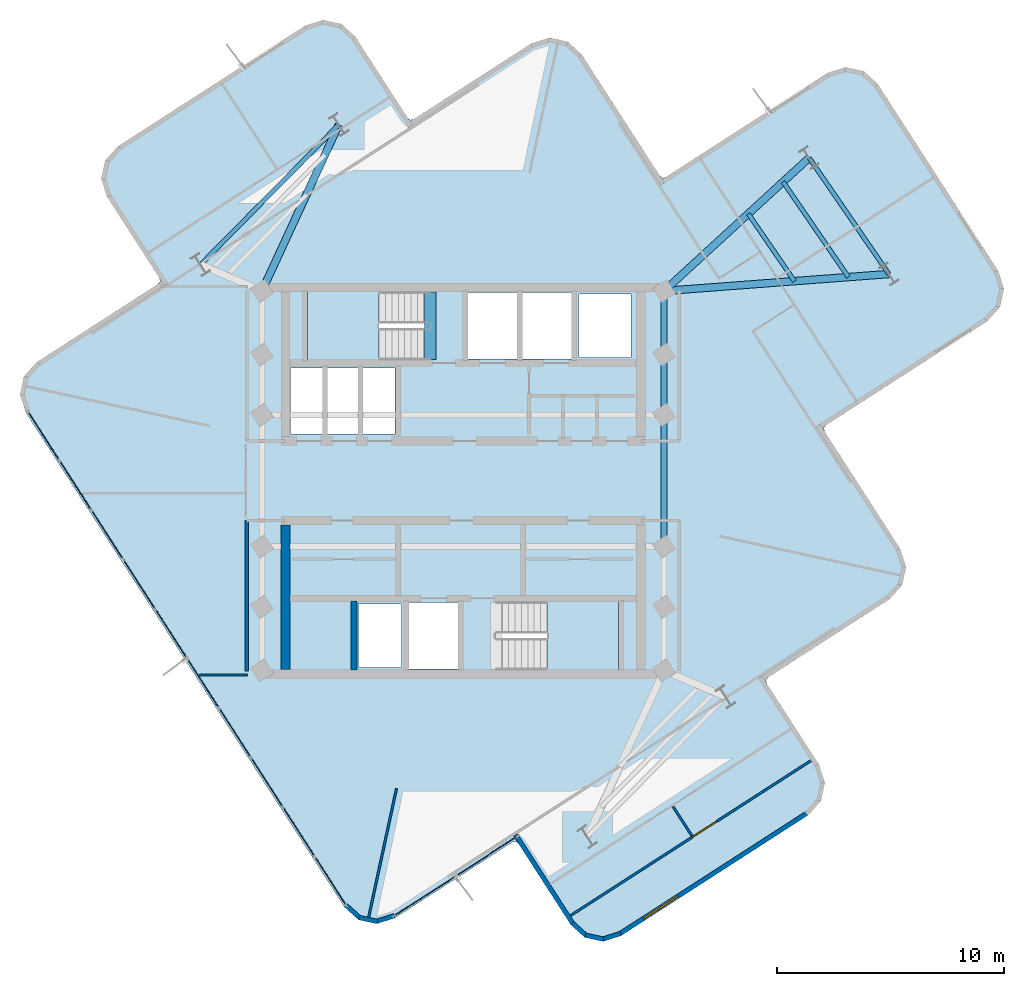
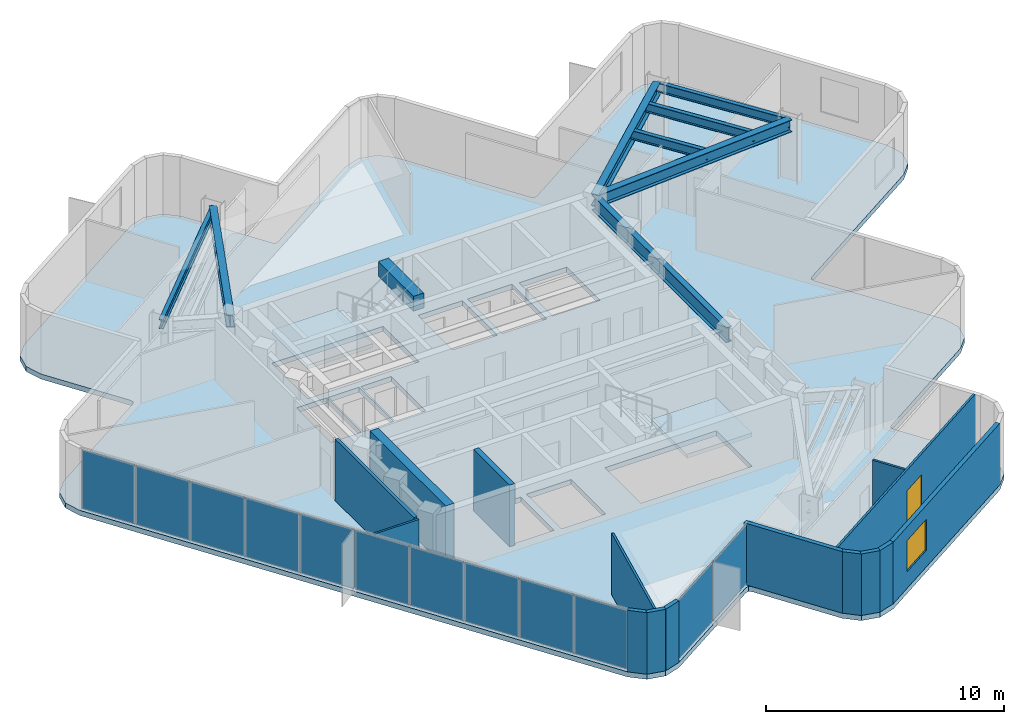
# One storey, part 4 of 9: 15 walls, 12 plates, 11 beams, 3 slabs, 1 door, 1 window, 2 openings, 4 elements without a shape of their own.
"""IFC4 building model written with IfcOpenShell, lengths in metres."""

from ifc_helpers import new_model, si_unit, direction, frame, frame_2d, origin, origin_2d, place, context, subcontext, project, spatial, polyline, rectangle, i_section, outline, extrude, material, layer, layer_set, material_profile, profile_set, type_object, element, fill, aggregate, save


model = new_model("IFC4")

# Units and contexts
model_context = context("Model", 3, precision=1e-05, world=origin(), true_north=direction((0.0, 1.0)))
body_context = subcontext(model_context, "Body", "Model", "MODEL_VIEW")
ifc_project = project(units=[si_unit("LENGTHUNIT", "METRE"), si_unit("AREAUNIT", "SQUARE_METRE"), si_unit("VOLUMEUNIT", "CUBIC_METRE"), si_unit("PLANEANGLEUNIT", "RADIAN"), si_unit("MASSUNIT", "GRAM", prefix="KILO")], contexts=[model_context])

# Site, building, storey
site_placement = place(None, origin())
site = spatial("IfcSite", under=ifc_project, at=site_placement, CompositionType="ELEMENT")
building_placement = place(site_placement, origin())
building = spatial("IfcBuilding", under=site, at=building_placement, Name="Solmarez Civic Tower", CompositionType="ELEMENT")
storey_placement = place(building_placement, frame((0.0, 0.0, 215.4599609375)))
storey = spatial("IfcBuildingStorey", under=building, at=storey_placement, Name="L57", CompositionType="ELEMENT", Elevation=215.4599609375)

# Beams
ifc_material_1 = material(Name="Steel S355", Category="steel")
ifc_material_profile_1 = material_profile(ifc_material_1, i_section(OverallWidth=0.19189453125, OverallDepth=0.462890625, WebThickness=0.010498046875, FlangeThickness=0.017578125, at=origin_2d()), Name="W18X60")
ifc_profile_set_1 = profile_set([ifc_material_profile_1], Name="Steel S355")
beam_type_1 = type_object("IfcBeamType", Name="BM-JS-W18X60", PredefinedType="JOIST", material=ifc_profile_set_1)
beam_1_placement = place(storey_placement, frame((18.740966796875, 9.096923828125, 2.927978515625), z_axis=(-0.565711253315, 0.824603406416, 0.0), x_axis=(-0.824603406416, -0.565711253315, 0.0)))
element("IfcBeam", 1, at=beam_1_placement, inside=storey, type_object=beam_type_1, Name="L57 Secondary Floor Joist BM-L57-EA-T1", PredefinedType="JOIST", context=body_context, shape_type="SweptSolid", body=[
    extrude(i_section(OverallWidth=0.19189453125, OverallDepth=0.462890625, WebThickness=0.010498046875, FlangeThickness=0.017578125, at=origin_2d()), origin(), (0.0, 0.0, 1.0), 6.199462890625),
])
beam_2_placement = place(storey_placement, frame((14.5869140625, 8.782958984375, 2.927978515625), z_axis=(-0.565666897805, 0.824633834334, 0.0), x_axis=(-0.824633834334, -0.565666897805, 0.0)))
element("IfcBeam", 2, at=beam_2_placement, inside=storey, type_object=beam_type_1, Name="L57 Secondary Floor Joist JS-L57-EA-M11", PredefinedType="JOIST", context=body_context, shape_type="SweptSolid", body=[
    extrude(i_section(OverallWidth=0.19189453125, OverallDepth=0.462890625, WebThickness=0.010498046875, FlangeThickness=0.017578125, at=origin_2d()), origin(), (0.0, 0.0, 1.0), 3.595703125),
])
beam_3_placement = place(storey_placement, frame((16.9609375, 8.962890625, 2.927978515625), z_axis=(-0.565800880521, 0.824541911367, 0.0), x_axis=(-0.824541911367, -0.565800880521, 0.0)))
element("IfcBeam", 3, at=beam_3_placement, inside=storey, type_object=beam_type_1, Name="L57 Secondary Floor Joist JS-L57-EA-M12", PredefinedType="JOIST", context=body_context, shape_type="SweptSolid", body=[
    extrude(i_section(OverallWidth=0.19189453125, OverallDepth=0.462890625, WebThickness=0.010498046875, FlangeThickness=0.017578125, at=origin_2d()), origin(), (0.0, 0.0, 1.0), 5.0830078125),
])
beam_4_placement = place(storey_placement, frame((-5.468017578125, 15.6708984375, 2.927978515625), z_axis=(-0.702766092364, -0.711420986072, 0.0), x_axis=(0.711420986072, -0.702766092364, 0.0)))
element("IfcBeam", 4, at=beam_4_placement, inside=storey, type_object=beam_type_1, Name="L57 Secondary Floor Joist BM-L57-NA-T1", PredefinedType="JOIST", context=body_context, shape_type="SweptSolid", body=[
    extrude(i_section(OverallWidth=0.19189453125, OverallDepth=0.462890625, WebThickness=0.010498046875, FlangeThickness=0.017578125, at=origin_2d()), origin(), (0.0, 0.0, 1.0), 8.659912109375),
])
ifc_material_2 = material(Name="Concrete C50/60", Category="concrete")
ifc_material_profile_2 = material_profile(ifc_material_2, rectangle(XDim=0.5, YDim=0.75, at=origin_2d()), Name="RC500X750")
ifc_profile_set_2 = profile_set([ifc_material_profile_2], Name="Concrete C50/60")
beam_type_2 = type_object("IfcBeamType", Name="BM-PR-RC500X750", PredefinedType="BEAM", material=ifc_profile_set_2)
beam_5_placement = place(storey_placement, frame((-1.449951171875, 5.340087890625, 3.052978515625), z_axis=(0.0, 1.0, 0.0), x_axis=(-1.0, 0.0, 0.0)))
element("IfcBeam", 5, at=beam_5_placement, inside=storey, type_object=beam_type_2, Name="L57 North Stair Threshold Beam", PredefinedType="BEAM", context=body_context, shape_type="SweptSolid", body=[
    extrude(rectangle(XDim=0.5, YDim=0.75, at=origin_2d()), origin(), (0.0, 0.0, 1.0), 2.9599609375),
])
ifc_material_profile_3 = material_profile(ifc_material_1, i_section(OverallWidth=0.327880859375, OverallDepth=0.6220703125, WebThickness=0.015380859375, FlangeThickness=0.0244140625, at=origin_2d()), Name="W24X131")
ifc_profile_set_3 = profile_set([ifc_material_profile_3], Name="Steel S355")
beam_type_3 = type_object("IfcBeamType", Name="BM-PR-W24X131", PredefinedType="BEAM", material=ifc_profile_set_3)
beam_6_placement = place(storey_placement, frame((8.85009765625, 8.35009765625, 2.84912109375), z_axis=(0.997161506076, 0.075292302399, 0.0), x_axis=(-0.075292302399, 0.997161506076, 0.0)))
element("IfcBeam", 6, at=beam_6_placement, inside=storey, type_object=beam_type_3, Name="L57 Primary Floor Beam BM-L57-EA-R1A", PredefinedType="BEAM", context=body_context, shape_type="SweptSolid", body=[
    extrude(i_section(OverallWidth=0.327880859375, OverallDepth=0.6220703125, WebThickness=0.015380859375, FlangeThickness=0.0244140625, at=origin_2d()), origin(), (0.0, 0.0, 1.0), 9.9189453125),
])
beam_7_placement = place(storey_placement, frame((8.85009765625, 8.35009765625, 2.84912109375), z_axis=(0.736746995662, 0.676168517741, 0.0), x_axis=(-0.676168517741, 0.736746995662, 0.0)))
element("IfcBeam", 7, at=beam_7_placement, inside=storey, type_object=beam_type_3, Name="L57 Primary Floor Beam BM-L57-EA-R1B", PredefinedType="BEAM", context=body_context, shape_type="SweptSolid", body=[
    extrude(i_section(OverallWidth=0.327880859375, OverallDepth=0.6220703125, WebThickness=0.015380859375, FlangeThickness=0.0244140625, at=origin_2d()), origin(), (0.0, 0.0, 1.0), 8.664794921875),
])
beam_8_placement = place(storey_placement, frame((-8.85009765625, 8.35009765625, 2.84912109375), z_axis=(0.419390280967, 0.907806032273, 0.0), x_axis=(-0.907806032273, 0.419390280967, 0.0)))
element("IfcBeam", 8, at=beam_8_placement, inside=storey, type_object=beam_type_3, Name="L57 Primary Floor Beam BM-L57-NA-R1A", PredefinedType="BEAM", context=body_context, shape_type="SweptSolid", body=[
    extrude(i_section(OverallWidth=0.327880859375, OverallDepth=0.6220703125, WebThickness=0.015380859375, FlangeThickness=0.0244140625, at=origin_2d()), origin(), (0.0, 0.0, 1.0), 8.064208984375),
])
ifc_material_profile_4 = material_profile(ifc_material_1, i_section(OverallWidth=0.26708984375, OverallDepth=0.761962890625, WebThickness=0.014404296875, FlangeThickness=0.021484375, at=origin_2d()), Name="W30X116")
ifc_profile_set_4 = profile_set([ifc_material_profile_4], Name="Steel S355")
beam_type_4 = type_object("IfcBeamType", Name="BM-PR-W30X116", PredefinedType="BEAM", material=ifc_profile_set_4)
beam_9_placement = place(storey_placement, frame((8.85009765625, -2.89990234375, 2.779052734375), z_axis=(0.0, 1.0, 0.0), x_axis=(-1.0, 0.0, 0.0)))
element("IfcBeam", 9, at=beam_9_placement, inside=storey, type_object=beam_type_4, Name="L57 Primary Floor Beam BM-L57-HC6-HC7", PredefinedType="BEAM", context=body_context, shape_type="SweptSolid", body=[
    extrude(i_section(OverallWidth=0.26708984375, OverallDepth=0.761962890625, WebThickness=0.014404296875, FlangeThickness=0.021484375, at=origin_2d()), origin(), (0.0, 0.0, 1.0), 5.7998046875),
])
beam_10_placement = place(storey_placement, frame((8.85009765625, 2.89990234375, 2.779052734375), z_axis=(0.0, 1.0, 0.0), x_axis=(-1.0, 0.0, 0.0)))
element("IfcBeam", 10, at=beam_10_placement, inside=storey, type_object=beam_type_4, Name="L57 Primary Floor Beam BM-L57-HC7-HC8", PredefinedType="BEAM", context=body_context, shape_type="SweptSolid", body=[
    extrude(i_section(OverallWidth=0.26708984375, OverallDepth=0.761962890625, WebThickness=0.014404296875, FlangeThickness=0.021484375, at=origin_2d()), origin(), (0.0, 0.0, 1.0), 2.650146484375),
])
beam_11_placement = place(storey_placement, frame((8.85009765625, 5.550048828125, 2.779052734375), z_axis=(0.0, 1.0, 0.0), x_axis=(-1.0, 0.0, 0.0)))
element("IfcBeam", 11, at=beam_11_placement, inside=storey, type_object=beam_type_4, Name="L57 Primary Floor Beam BM-L57-HC8-HC11", PredefinedType="BEAM", context=body_context, shape_type="SweptSolid", body=[
    extrude(i_section(OverallWidth=0.26708984375, OverallDepth=0.761962890625, WebThickness=0.014404296875, FlangeThickness=0.021484375, at=origin_2d()), origin(), (0.0, 0.0, 1.0), 2.800048828125),
])

# Curtain wall, plates
ifc_material_3 = material(Name="Bronze Anodised Aluminium EN AW-6063 T6", Category="aluminium")
ifc_layer_1 = layer(ifc_material_3, 0.1650390625)
ifc_layer_set_1 = layer_set([ifc_layer_1], Name="Bronze Anodised Aluminium EN AW-6063 T6")
curtain_wall_type = type_object("IfcCurtainWallType", Name="CW-SYS-4", PredefinedType="NOTDEFINED", material=ifc_layer_set_1)
curtain_wall_1_placement = place(storey_placement, origin())
curtain_wall_1 = element("IfcCurtainWall", 12, at=curtain_wall_1_placement, inside=storey, type_object=curtain_wall_type, Name="L57 Stick-Built Curtain Wall 1", PredefinedType="NOTDEFINED")
ifc_material_4 = material(Name="Solar Control Low-E Laminated Vision Glass", Category="glass")
ifc_layer_2 = layer(ifc_material_4, 0.0400390625)
ifc_layer_set_2 = layer_set([ifc_layer_2], Name="Solar Control Low-E Laminated Vision Glass")
plate_type = type_object("IfcPlateType", Name="CWP-GLAZ-40", PredefinedType="CURTAIN_PANEL", material=ifc_layer_set_2)
plate_1_placement = place(storey_placement, frame((1.043701171875, -16.51806640625, 0.070068359375), z_axis=(0.0, 0.0, 1.0), x_axis=(-0.84055711454, -0.541722933977, 0.0)))
plate_1 = element("IfcPlate", 13, at=plate_1_placement, type_object=plate_type, Name="CWS4 panel 1.1", PredefinedType="CURTAIN_PANEL", context=body_context, shape_type="SweptSolid", body=[
    extrude(rectangle(XDim=3.18115234375, YDim=0.0400390625, at=origin_2d()), origin(), (0.0, 0.0, 1.0), 3.02001953125),
])
plate_2_placement = place(storey_placement, frame((-1.6806640625, -18.27392578125, 0.070068359375), z_axis=(0.0, 0.0, 1.0), x_axis=(-0.84055711454, -0.541722933977, 0.0)))
plate_2 = element("IfcPlate", 14, at=plate_2_placement, type_object=plate_type, Name="CWS4 panel 2.1", PredefinedType="CURTAIN_PANEL", context=body_context, shape_type="SweptSolid", body=[
    extrude(rectangle(XDim=3.18115234375, YDim=0.0400390625, at=origin_2d()), origin(), (0.0, 0.0, 1.0), 3.02001953125),
])
aggregate(curtain_wall_1, [plate_1, plate_2])

curtain_wall_2_placement = place(storey_placement, origin())
curtain_wall_2 = element("IfcCurtainWall", 15, at=curtain_wall_2_placement, inside=storey, type_object=curtain_wall_type, Name="L57 Stick-Built Curtain Wall 2", PredefinedType="NOTDEFINED")
plate_3_placement = place(storey_placement, frame((-5.834228515625, -17.620849609375, 0.070068359375), z_axis=(0.0, 0.0, 1.0), x_axis=(-0.541726165354, 0.840555031971, 0.0)))
plate_3 = element("IfcPlate", 16, at=plate_3_placement, type_object=plate_type, Name="CWS4 panel 1.1", PredefinedType="CURTAIN_PANEL", context=body_context, shape_type="SweptSolid", body=[
    extrude(rectangle(XDim=2.50244140625, YDim=0.0400390625, at=origin_2d()), origin(), (0.0, 0.0, 1.0), 3.02001953125),
])
plate_4_placement = place(storey_placement, frame((-7.230712890625, -15.454345703125, 0.070068359375), z_axis=(0.0, 0.0, 1.0), x_axis=(-0.541726165354, 0.840555031971, 0.0)))
plate_4 = element("IfcPlate", 17, at=plate_4_placement, type_object=plate_type, Name="CWS4 panel 2.1", PredefinedType="CURTAIN_PANEL", context=body_context, shape_type="SweptSolid", body=[
    extrude(rectangle(XDim=2.532470703125, YDim=0.0400390625, at=origin_2d()), origin(), (0.0, 0.0, 1.0), 3.02001953125),
])
plate_5_placement = place(storey_placement, frame((-8.635009765625, -13.275146484375, 0.070068359375), z_axis=(0.0, 0.0, 1.0), x_axis=(-0.541726165354, 0.840555031971, 0.0)))
plate_5 = element("IfcPlate", 18, at=plate_5_placement, type_object=plate_type, Name="CWS4 panel 3.1", PredefinedType="CURTAIN_PANEL", context=body_context, shape_type="SweptSolid", body=[
    extrude(rectangle(XDim=2.532470703125, YDim=0.0400390625, at=origin_2d()), origin(), (0.0, 0.0, 1.0), 3.02001953125),
])
plate_6_placement = place(storey_placement, frame((-10.039306640625, -11.09619140625, 0.070068359375), z_axis=(0.0, 0.0, 1.0), x_axis=(-0.541726165354, 0.840555031971, 0.0)))
plate_6 = element("IfcPlate", 19, at=plate_6_placement, type_object=plate_type, Name="CWS4 panel 4.1", PredefinedType="CURTAIN_PANEL", context=body_context, shape_type="SweptSolid", body=[
    extrude(rectangle(XDim=2.532470703125, YDim=0.0400390625, at=origin_2d()), origin(), (0.0, 0.0, 1.0), 3.02001953125),
])
plate_7_placement = place(storey_placement, frame((-11.44384765625, -8.9169921875, 0.070068359375), z_axis=(0.0, 0.0, 1.0), x_axis=(-0.541726165354, 0.840555031971, 0.0)))
plate_7 = element("IfcPlate", 20, at=plate_7_placement, type_object=plate_type, Name="CWS4 panel 5.1", PredefinedType="CURTAIN_PANEL", context=body_context, shape_type="SweptSolid", body=[
    extrude(rectangle(XDim=2.532470703125, YDim=0.0400390625, at=origin_2d()), origin(), (0.0, 0.0, 1.0), 3.02001953125),
])
plate_8_placement = place(storey_placement, frame((-12.84814453125, -6.738037109375, 0.070068359375), z_axis=(0.0, 0.0, 1.0), x_axis=(-0.541726165354, 0.840555031971, 0.0)))
plate_8 = element("IfcPlate", 21, at=plate_8_placement, type_object=plate_type, Name="CWS4 panel 6.1", PredefinedType="CURTAIN_PANEL", context=body_context, shape_type="SweptSolid", body=[
    extrude(rectangle(XDim=2.532470703125, YDim=0.0400390625, at=origin_2d()), origin(), (0.0, 0.0, 1.0), 3.02001953125),
])
plate_9_placement = place(storey_placement, frame((-14.252685546875, -4.558837890625, 0.070068359375), z_axis=(0.0, 0.0, 1.0), x_axis=(-0.541726165354, 0.840555031971, 0.0)))
plate_9 = element("IfcPlate", 22, at=plate_9_placement, type_object=plate_type, Name="CWS4 panel 7.1", PredefinedType="CURTAIN_PANEL", context=body_context, shape_type="SweptSolid", body=[
    extrude(rectangle(XDim=2.532470703125, YDim=0.0400390625, at=origin_2d()), origin(), (0.0, 0.0, 1.0), 3.02001953125),
])
plate_10_placement = place(storey_placement, frame((-15.656982421875, -2.379638671875, 0.070068359375), z_axis=(0.0, 0.0, 1.0), x_axis=(-0.541726165354, 0.840555031971, 0.0)))
plate_10 = element("IfcPlate", 23, at=plate_10_placement, type_object=plate_type, Name="CWS4 panel 8.1", PredefinedType="CURTAIN_PANEL", context=body_context, shape_type="SweptSolid", body=[
    extrude(rectangle(XDim=2.532470703125, YDim=0.0400390625, at=origin_2d()), origin(), (0.0, 0.0, 1.0), 3.02001953125),
])
plate_11_placement = place(storey_placement, frame((-17.061279296875, -0.20068359375, 0.070068359375), z_axis=(0.0, 0.0, 1.0), x_axis=(-0.541726165354, 0.840555031971, 0.0)))
plate_11 = element("IfcPlate", 24, at=plate_11_placement, type_object=plate_type, Name="CWS4 panel 9.1", PredefinedType="CURTAIN_PANEL", context=body_context, shape_type="SweptSolid", body=[
    extrude(rectangle(XDim=2.532470703125, YDim=0.0400390625, at=origin_2d()), origin(), (0.0, 0.0, 1.0), 3.02001953125),
])
plate_12_placement = place(storey_placement, frame((-18.457763671875, 1.9658203125, 0.070068359375), z_axis=(0.0, 0.0, 1.0), x_axis=(-0.541726165354, 0.840555031971, 0.0)))
plate_12 = element("IfcPlate", 25, at=plate_12_placement, type_object=plate_type, Name="CWS4 panel 10.1", PredefinedType="CURTAIN_PANEL", context=body_context, shape_type="SweptSolid", body=[
    extrude(rectangle(XDim=2.50244140625, YDim=0.0400390625, at=origin_2d()), origin(), (0.0, 0.0, 1.0), 3.02001953125),
])
aggregate(curtain_wall_2, [plate_3, plate_4, plate_5, plate_6, plate_7, plate_8, plate_9, plate_10, plate_11, plate_12])

# Stair, slab
stair_type = type_object("IfcStairType", Name="STAIR-DOGLEG-140W-18R-1900", PredefinedType="HALF_TURN_STAIR", material=ifc_material_2)
stair_1_placement = place(storey_placement, origin())
stair_1 = element("IfcStair", 26, at=stair_1_placement, inside=storey, type_object=stair_type, Name="L57 North Core Protected Exit Stair ST-1", PredefinedType="HALF_TURN_STAIR")
ifc_layer_3 = layer(ifc_material_2, 0.199951171875)
ifc_layer_set_3 = layer_set([ifc_layer_3], Name="Concrete C50/60")
slab_type_1 = type_object("IfcSlabType", Name="SLAB-LANDING-200", PredefinedType="LANDING", material=ifc_layer_set_3)
slab_1_placement = place(storey_placement, frame((0.0, 0.0, 1.510009765625)))
slab_1 = element("IfcSlab", 27, at=slab_1_placement, type_object=slab_type_1, Name="ST-1 landing 1", PredefinedType="LANDING", context=body_context, shape_type="SweptSolid", body=[
    extrude(outline(polyline([(-3.68994140625, 8.320068359375), (-6.85009765625, 8.320068359375), (-6.85009765625, 5.320068359375), (-3.68994140625, 5.320068359375), (-3.68994140625, 8.320068359375)])), origin(), (0.0, 0.0, 1.0), 0.199951171875),
])
aggregate(stair_1, [slab_1])

stair_2_placement = place(storey_placement, origin())
stair_2 = element("IfcStair", 28, at=stair_2_placement, inside=storey, type_object=stair_type, Name="L57 South Core Protected Exit Stair ST-2", PredefinedType="HALF_TURN_STAIR")
slab_2_placement = place(storey_placement, frame((0.0, 0.0, 1.510009765625)))
slab_2 = element("IfcSlab", 29, at=slab_2_placement, type_object=slab_type_1, Name="ST-2 landing 1", PredefinedType="LANDING", context=body_context, shape_type="SweptSolid", body=[
    extrude(outline(polyline([(3.68994140625, -8.320068359375), (6.85009765625, -8.320068359375), (6.85009765625, -5.320068359375), (3.68994140625, -5.320068359375), (3.68994140625, -8.320068359375)])), origin(), (0.0, 0.0, 1.0), 0.199951171875),
])
aggregate(stair_2, [slab_2])

# Slab
ifc_layer_4 = layer(ifc_material_2, 0.260009765625)
ifc_layer_set_4 = layer_set([ifc_layer_4], Name="Concrete C50/60")
slab_type_2 = type_object("IfcSlabType", Name="SLAB-TOWER-260", PredefinedType="FLOOR", material=ifc_layer_set_4)
slab_3_placement = place(storey_placement, frame((0.0, 0.0, -0.260009765625)))
element("IfcSlab", 30, at=slab_3_placement, inside=storey, type_object=slab_type_2, Name="L57 Structural Slab", PredefinedType="FLOOR", context=body_context, shape_type="SweptSolid", body=[
    extrude(outline(polyline([(2.447998046875, -15.98291015625), (4.7451171875, -19.5458984375), (5.35791015625, -20.10205078125), (6.16796875, -20.277099609375), (6.9560546875, -20.02392578125), (15.194091796875, -14.715087890625), (15.75, -14.10205078125), (15.925048828125, -13.2919921875), (15.672119140625, -12.50390625), (13.3759765625, -8.93994140625), (13.322998046875, -8.777099609375), (13.43896484375, -8.64892578125), (18.76708984375, -5.215087890625), (19.323974609375, -4.60205078125), (19.4990234375, -3.7919921875), (19.2451171875, -3.0029296875), (15.919921875, 2.156982421875), (15.866943359375, 2.321044921875), (15.98291015625, 2.447998046875), (23.075927734375, 7.02001953125), (23.633056640625, 7.633056640625), (23.80810546875, 8.443115234375), (23.554931640625, 9.23193359375), (18.24609375, 17.468994140625), (17.632080078125, 18.02490234375), (16.822998046875, 18.199951171875), (16.033935546875, 17.947021484375), (8.93994140625, 13.3759765625), (8.777099609375, 13.322998046875), (8.64892578125, 13.43896484375), (5.215087890625, 18.76708984375), (4.60205078125, 19.323974609375), (3.7919921875, 19.4990234375), (3.0029296875, 19.2451171875), (-2.156982421875, 15.919921875), (-2.321044921875, 15.866943359375), (-2.447998046875, 15.98291015625), (-4.7451171875, 19.5458984375), (-5.35791015625, 20.10205078125), (-6.16796875, 20.277099609375), (-6.9560546875, 20.02392578125), (-15.194091796875, 14.715087890625), (-15.75, 14.10205078125), (-15.925048828125, 13.2919921875), (-15.672119140625, 12.50390625), (-13.3759765625, 8.93994140625), (-13.322998046875, 8.777099609375), (-13.43896484375, 8.64892578125), (-18.76708984375, 5.215087890625), (-19.323974609375, 4.60205078125), (-19.4990234375, 3.7919921875), (-19.2451171875, 3.0029296875), (-5.215087890625, -18.76708984375), (-4.60205078125, -19.323974609375), (-3.7919921875, -19.4990234375), (-3.0029296875, -19.2451171875), (2.156982421875, -15.919921875), (2.321044921875, -15.866943359375), (2.447998046875, -15.98291015625)]), holes=[polyline([(-1.449951171875, 8.320068359375), (-6.85009765625, 8.320068359375), (-6.85009765625, 5.320068359375), (-1.449951171875, 5.320068359375), (-1.449951171875, 8.320068359375)]), polyline([(1.449951171875, -8.320068359375), (6.85009765625, -8.320068359375), (6.85009765625, -5.320068359375), (1.449951171875, -5.320068359375), (1.449951171875, -8.320068359375)]), polyline([(0.219970703125, 5.360107421875), (2.3798828125, 5.360107421875), (2.3798828125, 8.280029296875), (0.219970703125, 8.280029296875), (0.219970703125, 5.360107421875)]), polyline([(2.6201171875, 5.360107421875), (4.780029296875, 5.360107421875), (4.780029296875, 8.280029296875), (2.6201171875, 8.280029296875), (2.6201171875, 5.360107421875)]), polyline([(-2.3798828125, -8.280029296875), (-0.219970703125, -8.280029296875), (-0.219970703125, -5.360107421875), (-2.3798828125, -5.360107421875), (-2.3798828125, -8.280029296875)]), polyline([(-7.60009765625, 2.06005859375), (-6.1201171875, 2.06005859375), (-6.1201171875, 4.9599609375), (-7.60009765625, 4.9599609375), (-7.60009765625, 2.06005859375)]), polyline([(-6.0400390625, 2.06005859375), (-4.56005859375, 2.06005859375), (-4.56005859375, 4.9599609375), (-6.0400390625, 4.9599609375), (-6.0400390625, 2.06005859375)]), polyline([(-4.47998046875, 2.06005859375), (-3.0, 2.06005859375), (-3.0, 4.9599609375), (-4.47998046875, 4.9599609375), (-4.47998046875, 2.06005859375)]), polyline([(5.10009765625, 5.419921875), (7.39990234375, 5.419921875), (7.39990234375, 8.219970703125), (5.10009765625, 8.219970703125), (5.10009765625, 5.419921875)]), polyline([(-4.60009765625, -8.219970703125), (-2.699951171875, -8.219970703125), (-2.699951171875, -5.419921875), (-4.60009765625, -5.419921875), (-4.60009765625, -8.219970703125)])]), origin(), (0.0, 0.0, 1.0), 0.260009765625),
])

# Walls
ifc_layer_5 = layer(ifc_material_2, 0.39990234375)
ifc_layer_set_5 = layer_set([ifc_layer_5], Name="Concrete C50/60")
wall_type_1 = type_object("IfcWallType", Name="WALL-CORE-400", PredefinedType="SHEAR", material=ifc_layer_set_5)
wall_1_placement = place(storey_placement, frame((-7.820068359375, -8.31005859375, 0.0), z_axis=(0.0, 0.0, 1.0), x_axis=(0.0, 1.0, 0.0)))
element("IfcWall", 31, at=wall_1_placement, inside=storey, type_object=wall_type_1, Name="L57 Split-Core Structural Wall SCW-W-L57", PredefinedType="SHEAR", context=body_context, shape_type="SweptSolid", body=[
    extrude(rectangle(XDim=6.360107421875, YDim=0.39990234375, at=frame_2d((3.18017578125, 0.0))), origin(), (0.0, 0.0, 1.0), 3.16015625),
])
ifc_material_5 = material(Name="Precast concrete C40/50", Category="concrete")
ifc_layer_6 = layer(ifc_material_5, 0.199951171875)
ifc_layer_set_6 = layer_set([ifc_layer_6], Name="Precast concrete C40/50")
wall_type_2 = type_object("IfcWallType", Name="WALL-EXT-200", PredefinedType="SOLIDWALL", material=ifc_layer_set_6)
wall_2_placement = place(storey_placement, frame((-3.02294921875, -19.14599609375, 0.0), z_axis=(0.0, 0.0, 1.0), x_axis=(-0.951837516142, -0.306602907463, 0.0)))
element("IfcWall", 32, at=wall_2_placement, inside=storey, type_object=wall_type_2, Name="L57 Exterior Precast Wall 3", PredefinedType="SOLIDWALL", context=body_context, shape_type="SweptSolid", body=[
    extrude(rectangle(XDim=0.83837890625, YDim=0.199951171875, at=frame_2d((0.419189453125, 0.0))), origin(), (0.0, 0.0, 1.0), 3.16015625),
])
wall_3_placement = place(storey_placement, frame((-3.77294921875, -19.39990234375, 0.0), z_axis=(0.0, 0.0, 1.0), x_axis=(-0.977467098281, 0.211087829535, 0.0)))
element("IfcWall", 33, at=wall_3_placement, inside=storey, type_object=wall_type_2, Name="L57 Exterior Precast Wall 4", PredefinedType="SOLIDWALL", context=body_context, shape_type="SweptSolid", body=[
    extrude(rectangle(XDim=0.823486328125, YDim=0.199951171875, at=frame_2d((0.41162109375, 0.0))), origin(), (0.0, 0.0, 1.0), 3.16015625),
])
wall_4_placement = place(storey_placement, frame((-4.534912109375, -19.248046875, 0.0), z_axis=(0.0, 0.0, 1.0), x_axis=(-0.741439258983, 0.671019988703, 0.0)))
element("IfcWall", 34, at=wall_4_placement, inside=storey, type_object=wall_type_2, Name="L57 Exterior Precast Wall 5", PredefinedType="SOLIDWALL", context=body_context, shape_type="SweptSolid", body=[
    extrude(rectangle(XDim=0.839111328125, YDim=0.199951171875, at=frame_2d((0.41943359375, 0.0))), origin(), (0.0, 0.0, 1.0), 3.16015625),
])

# Wall, opening, window
wall_5_placement = place(storey_placement, frame((15.14990234375, -14.625, 0.0), z_axis=(0.0, 0.0, 1.0), x_axis=(-0.84055619882, -0.541724354839, 0.0)))
wall_5 = element("IfcWall", 35, at=wall_5_placement, inside=storey, type_object=wall_type_2, Name="L57 Exterior Precast Wall 53", PredefinedType="SOLIDWALL", context=body_context, shape_type="SweptSolid", body=[
    extrude(rectangle(XDim=9.82421875, YDim=0.199951171875, at=frame_2d((4.912109375, 0.0))), origin(), (0.0, 0.0, 1.0), 3.16015625),
])
opening_1_placement = place(wall_5_placement, frame((6.762939453125, 0.0, 0.85009765625)))
opening_1 = element("IfcOpeningElement", 36, at=opening_1_placement, cuts=wall_5, Name="Opening W-12", PredefinedType="OPENING", context=body_context, shape_type="SweptSolid", body=[
    extrude(rectangle(XDim=1.800048828125, YDim=1.60009765625, at=frame_2d((0.89990234375, 0.800048828125))), frame((0.0, 0.10986328125, 0.0), z_axis=(0.0, -1.0, 0.0), x_axis=(1.0, 0.0, 0.0)), (0.0, 0.0, 1.0), 0.219970703125),
])
ifc_material_6 = material(Name="Solar Control Bronze-Tinted Insulating Glass", Category="glass")
window_type = type_object("IfcWindowType", Name="WIN-1800X1600", PartitioningType="SINGLE_PANEL", PredefinedType="WINDOW", material=ifc_material_6)
window_placement = place(opening_1_placement, origin())
window = element("IfcWindow", 37, at=window_placement, inside=storey, type_object=window_type, Name="L57 Exterior Facade Window 53", OverallHeight=1.60009765625, OverallWidth=1.800048828125, PartitioningType="SINGLE_PANEL", PredefinedType="WINDOW", context=body_context, shape_type="SweptSolid", body=[
    extrude(rectangle(XDim=1.800048828125, YDim=1.60009765625, at=frame_2d((0.89990234375, 0.800048828125))), frame((0.0, 0.030029296875, 0.0), z_axis=(0.0, -1.0, 0.0), x_axis=(1.0, 0.0, 0.0)), (0.0, 0.0, 1.0), 0.06005859375),
])
fill(opening_1, window)

# Walls
wall_6_placement = place(storey_placement, frame((6.93701171875, -19.925048828125, 0.0), z_axis=(0.0, 0.0, 1.0), x_axis=(-0.951922461344, -0.306339072907, 0.0)))
element("IfcWall", 38, at=wall_6_placement, inside=storey, type_object=wall_type_2, Name="L57 Exterior Precast Wall 54", PredefinedType="SOLIDWALL", context=body_context, shape_type="SweptSolid", body=[
    extrude(rectangle(XDim=0.83837890625, YDim=0.199951171875, at=frame_2d((0.419189453125, 0.0))), origin(), (0.0, 0.0, 1.0), 3.16015625),
])
wall_7_placement = place(storey_placement, frame((6.18701171875, -20.178955078125, 0.0), z_axis=(0.0, 0.0, 1.0), x_axis=(-0.977405889656, 0.211371064399, 0.0)))
element("IfcWall", 39, at=wall_7_placement, inside=storey, type_object=wall_type_2, Name="L57 Exterior Precast Wall 55", PredefinedType="SOLIDWALL", context=body_context, shape_type="SweptSolid", body=[
    extrude(rectangle(XDim=0.823486328125, YDim=0.199951171875, at=frame_2d((0.41162109375, 0.0))), origin(), (0.0, 0.0, 1.0), 3.16015625),
])
wall_8_placement = place(storey_placement, frame((5.425048828125, -20.027099609375, 0.0), z_axis=(0.0, 0.0, 1.0), x_axis=(-0.741439258983, 0.671019988703, 0.0)))
element("IfcWall", 40, at=wall_8_placement, inside=storey, type_object=wall_type_2, Name="L57 Exterior Precast Wall 56", PredefinedType="SOLIDWALL", context=body_context, shape_type="SweptSolid", body=[
    extrude(rectangle(XDim=0.839111328125, YDim=0.199951171875, at=frame_2d((0.41943359375, 0.0))), origin(), (0.0, 0.0, 1.0), 3.16015625),
])
wall_9_placement = place(storey_placement, frame((4.8359375, -19.501953125, 0.0), z_axis=(0.0, 0.0, 1.0), x_axis=(-0.541756659411, 0.840535378187, 0.0)))
element("IfcWall", 41, at=wall_9_placement, inside=storey, type_object=wall_type_2, Name="L57 Exterior Precast Wall 57", PredefinedType="SOLIDWALL", context=body_context, shape_type="SweptSolid", body=[
    extrude(rectangle(XDim=4.64208984375, YDim=0.199951171875, at=frame_2d((2.321044921875, 0.0))), origin(), (0.0, 0.0, 1.0), 3.16015625),
])
ifc_material_7 = material(Name="Gypsum Board Acoustic Steel-Stud Partition", Category="steel")
ifc_layer_7 = layer(ifc_material_7, 0.14990234375)
ifc_layer_set_7 = layer_set([ifc_layer_7], Name="Gypsum Board Acoustic Steel-Stud Partition")
wall_type_3 = type_object("IfcWallType", Name="WALL-INT-FIRE-150", PredefinedType="PARTITIONING", material=ifc_layer_set_7)
wall_10_placement = place(storey_placement, frame((-9.52001953125, -8.3798828125, 0.0), z_axis=(0.0, 0.0, 1.0), x_axis=(0.0, 1.0, 0.0)))
element("IfcWall", 42, at=wall_10_placement, inside=storey, type_object=wall_type_3, Name="L57 Interior Partition CHW-L57-WS1", PredefinedType="PARTITIONING", context=body_context, shape_type="SweptSolid", body=[
    extrude(rectangle(XDim=6.6298828125, YDim=0.14990234375, at=frame_2d((3.31494140625, 0.0))), origin(), (0.0, 0.0, 1.0), 3.16015625),
])
ifc_layer_8 = layer(ifc_material_7, 0.10009765625)
ifc_layer_set_8 = layer_set([ifc_layer_8], Name="Gypsum Board Acoustic Steel-Stud Partition")
wall_type_4 = type_object("IfcWallType", Name="WALL-INT-PART-100", PredefinedType="PARTITIONING", material=ifc_layer_set_8)
wall_11_placement = place(storey_placement, frame((-11.60302734375, -8.550048828125, 0.0), z_axis=(0.0, 0.0, 1.0), x_axis=(1.0, 0.0, 0.0)))
element("IfcWall", 43, at=wall_11_placement, inside=storey, type_object=wall_type_4, Name="L57 Interior Partition PT-L57-WH-BS", PredefinedType="PARTITIONING", context=body_context, shape_type="SweptSolid", body=[
    extrude(rectangle(XDim=2.123046875, YDim=0.10009765625, at=frame_2d((1.0615234375, 0.0))), origin(), (0.0, 0.0, 1.0), 3.16015625),
])
wall_12_placement = place(storey_placement, frame((-2.927001953125, -13.5400390625, 0.0), z_axis=(0.0, 0.0, 1.0), x_axis=(-0.21141803497, -0.977395730751, 0.0)))
element("IfcWall", 44, at=wall_12_placement, inside=storey, type_object=wall_type_4, Name="L57 Interior Partition PT-L57-QDIV-3", PredefinedType="PARTITIONING", context=body_context, shape_type="SweptSolid", body=[
    extrude(rectangle(XDim=5.842041015625, YDim=0.10009765625, at=frame_2d((2.9208984375, 0.0))), origin(), (0.0, 0.0, 1.0), 3.16015625),
])
wall_13_placement = place(storey_placement, frame((9.241943359375, -14.340087890625, 0.0), z_axis=(0.0, 0.0, 1.0), x_axis=(0.541443159102, -0.840737358193, 0.0)))
element("IfcWall", 45, at=wall_13_placement, inside=storey, type_object=wall_type_4, Name="L57 Interior Partition PT-L57-S-MM", PredefinedType="PARTITIONING", context=body_context, shape_type="SweptSolid", body=[
    extrude(rectangle(XDim=1.529541015625, YDim=0.10009765625, at=frame_2d((0.7646484375, 0.0))), origin(), (0.0, 0.0, 1.0), 3.16015625),
])

# Wall, opening, door
wall_14_placement = place(storey_placement, frame((15.343994140625, -12.299072265625, 0.0), z_axis=(0.0, 0.0, 1.0), x_axis=(-0.840579419228, -0.541688323642, 0.0)))
wall_14 = element("IfcWall", 46, at=wall_14_placement, inside=storey, type_object=wall_type_4, Name="L57 Interior Partition PT-L57-S-S2", PredefinedType="PARTITIONING", context=body_context, shape_type="SweptSolid", body=[
    extrude(rectangle(XDim=12.669677734375, YDim=0.10009765625, at=frame_2d((6.3349609375, 0.0))), origin(), (0.0, 0.0, 1.0), 3.16015625),
])
opening_2_placement = place(wall_14_placement, frame((4.9599609375, 0.0, 0.0)))
opening_2 = element("IfcOpeningElement", 47, at=opening_2_placement, cuts=wall_14, Name="Opening D-15", PredefinedType="OPENING", context=body_context, shape_type="SweptSolid", body=[
    extrude(rectangle(XDim=1.300048828125, YDim=2.10009765625, at=frame_2d((0.64990234375, 1.050048828125))), frame((0.0, 0.06005859375, 0.0), z_axis=(0.0, -1.0, 0.0), x_axis=(1.0, 0.0, 0.0)), (0.0, 0.0, 1.0), 0.1201171875),
])
ifc_material_8 = material(Name="Tribunal Hearing Conference Door", Category="wood")
door_type = type_object("IfcDoorType", Name="DOOR-INT-1300", OperationType="NOTDEFINED", PredefinedType="DOOR", material=ifc_material_8)
door_placement = place(opening_2_placement, origin())
door = element("IfcDoor", 48, at=door_placement, inside=storey, type_object=door_type, Name="L57 Delegates Sitting Lounge Fourth South Door", OperationType="SINGLE_SWING_LEFT", OverallHeight=2.10009765625, OverallWidth=1.300048828125, PredefinedType="DOOR", context=body_context, shape_type="SweptSolid", body=[
    extrude(rectangle(XDim=1.300048828125, YDim=2.10009765625, at=frame_2d((0.64990234375, 1.050048828125))), frame((0.0, 0.02490234375, 0.0), z_axis=(0.0, -1.0, 0.0), x_axis=(1.0, 0.0, 0.0)), (0.0, 0.0, 1.0), 0.050048828125),
])
fill(opening_2, door)

# Wall
ifc_layer_9 = layer(ifc_material_2, 0.300048828125)
ifc_layer_set_9 = layer_set([ifc_layer_9], Name="Concrete C50/60")
wall_type_5 = type_object("IfcWallType", Name="WALL-STR-300", PredefinedType="SOLIDWALL", material=ifc_layer_set_9)
wall_15_placement = place(storey_placement, frame((-4.800048828125, -8.340087890625, 0.0), z_axis=(0.0, 0.0, 1.0), x_axis=(0.0, 1.0, 0.0)))
element("IfcWall", 49, at=wall_15_placement, inside=storey, type_object=wall_type_5, Name="L57 Split-Core Structural Wall SHW-S3-L57", PredefinedType="SOLIDWALL", context=body_context, shape_type="SweptSolid", body=[
    extrude(rectangle(XDim=3.0400390625, YDim=0.25, at=frame_2d((1.52001953125, 0.0))), origin(), (0.0, 0.0, 1.0), 3.16015625),
])

save(model, "model.ifc")
